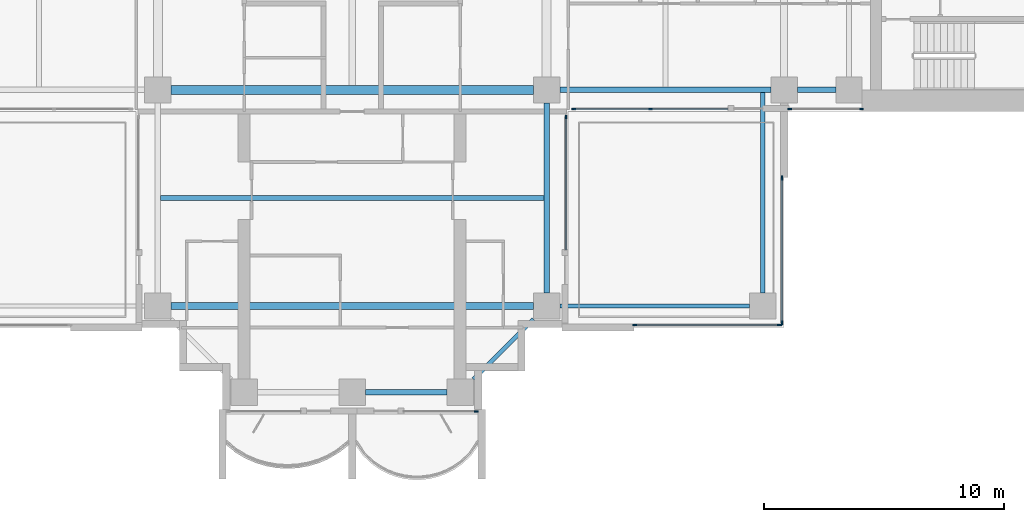
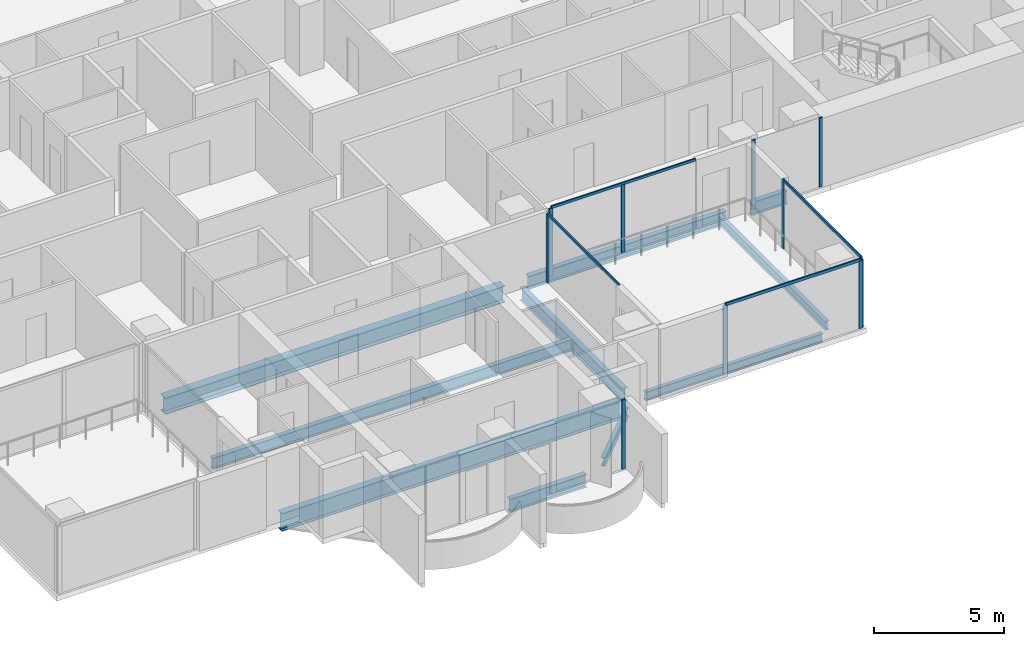
# One storey, part 3 of 18: 14 members, 10 beams, 6 elements without a shape of their own.
"""IFC4 building model written with IfcOpenShell, lengths in metres."""

from ifc_helpers import new_model, si_unit, direction, frame, origin, origin_2d, place, context, subcontext, project, spatial, rectangle, i_section, extrude, material, material_profile, profile_set, type_object, element, aggregate, save


model = new_model("IFC4")

# Units and contexts
model_context = context("Model", 3, precision=1e-05, world=origin(), true_north=direction((0.0, 1.0)))
body_context = subcontext(model_context, "Body", "Model", "MODEL_VIEW")
ifc_project = project(units=[si_unit("LENGTHUNIT", "METRE"), si_unit("AREAUNIT", "SQUARE_METRE"), si_unit("VOLUMEUNIT", "CUBIC_METRE"), si_unit("PLANEANGLEUNIT", "RADIAN"), si_unit("MASSUNIT", "GRAM", prefix="KILO")], contexts=[model_context])

# Site, building, storey
site_placement = place(None, origin())
site = spatial("IfcSite", under=ifc_project, at=site_placement, CompositionType="ELEMENT")
building_placement = place(site_placement, origin())
building = spatial("IfcBuilding", under=site, at=building_placement, Name="Perihelion Cross Residences", CompositionType="ELEMENT")
storey_placement = place(building_placement, frame((0.0, 0.0, 133.89990234375)))
storey = spatial("IfcBuildingStorey", under=building, at=storey_placement, Name="L32", CompositionType="ELEMENT", Elevation=133.89990234375)

# Curtain wall, member
ifc_material_1 = material(Name="Bronze anodised aluminium, tinted glazing", Category="aluminium")
curtain_wall_type_1 = type_object("IfcCurtainWallType", Name="CW1", PredefinedType="NOTDEFINED", material=ifc_material_1)
curtain_wall_1_placement = place(storey_placement, origin())
curtain_wall_1 = element("IfcCurtainWall", 1, at=curtain_wall_1_placement, inside=storey, type_object=curtain_wall_type_1, Name="Curtain wall CW1 L32 south tip south bay 2", PredefinedType="NOTDEFINED")
ifc_material_2 = material(Name="Bronze anodised aluminium", Category="aluminium")
ifc_material_profile_1 = material_profile(ifc_material_2, rectangle(XDim=0.06005859375, YDim=0.159912109375, at=origin_2d()), Name="CW1 mullion")
ifc_profile_set_1 = profile_set([ifc_material_profile_1], Name="Bronze anodised aluminium")
member_type_1 = type_object("IfcMemberType", Name="CW1 mullion", PredefinedType="MULLION", material=ifc_profile_set_1)
member_1_placement = place(storey_placement, frame((5.169921875, -21.5, 0.0), z_axis=(0.0, 0.0, 1.0), x_axis=(0.0, 1.0, 0.0)))
member_1 = element("IfcMember", 2, at=member_1_placement, type_object=member_type_1, Name="CW1 mullion 2", PredefinedType="MULLION", context=body_context, shape_type="SweptSolid", body=[
    extrude(rectangle(XDim=0.06005859375, YDim=0.159912109375, at=origin_2d()), origin(), (0.0, 0.0, 1.0), 3.25),
])
aggregate(curtain_wall_1, [member_1])

curtain_wall_2_placement = place(storey_placement, origin())
curtain_wall_2 = element("IfcCurtainWall", 3, at=curtain_wall_2_placement, inside=storey, type_object=curtain_wall_type_1, Name="Curtain wall CW1 L32 south side east bay 1", PredefinedType="NOTDEFINED")
member_2_placement = place(storey_placement, frame((8.89990234375, -9.22998046875, 0.0), z_axis=(0.0, 0.0, 1.0), x_axis=(-1.0, 0.0, 0.0)))
member_2 = element("IfcMember", 4, at=member_2_placement, type_object=member_type_1, Name="CW1 mullion 2", PredefinedType="MULLION", context=body_context, shape_type="SweptSolid", body=[
    extrude(rectangle(XDim=0.06005859375, YDim=0.159912109375, at=origin_2d()), origin(), (0.0, 0.0, 1.0), 3.190185546875),
])

# Curtain wall, members
curtain_wall_3_placement = place(storey_placement, origin())
curtain_wall_3 = element("IfcCurtainWall", 5, at=curtain_wall_3_placement, inside=storey, type_object=curtain_wall_type_1, Name="Curtain wall CW1 L32 east side south bay 1", PredefinedType="NOTDEFINED")
member_3_placement = place(storey_placement, frame((9.22998046875, -8.89990234375, 0.0), z_axis=(0.0, 0.0, 1.0), x_axis=(0.0, 1.0, 0.0)))
member_3 = element("IfcMember", 6, at=member_3_placement, type_object=member_type_1, Name="CW1 mullion 1", PredefinedType="MULLION", context=body_context, shape_type="SweptSolid", body=[
    extrude(rectangle(XDim=0.06005859375, YDim=0.159912109375, at=origin_2d()), origin(), (0.0, 0.0, 1.0), 3.190185546875),
])
member_4_placement = place(storey_placement, frame((12.425048828125, -8.89990234375, 0.0), z_axis=(0.0, 0.0, 1.0), x_axis=(0.0, 1.0, 0.0)))
member_4 = element("IfcMember", 7, at=member_4_placement, type_object=member_type_1, Name="CW1 mullion 2", PredefinedType="MULLION", context=body_context, shape_type="SweptSolid", body=[
    extrude(rectangle(XDim=0.06005859375, YDim=0.159912109375, at=origin_2d()), origin(), (0.0, 0.0, 1.0), 3.190185546875),
])

curtain_wall_4_placement = place(storey_placement, origin())
curtain_wall_4 = element("IfcCurtainWall", 8, at=curtain_wall_4_placement, inside=storey, type_object=curtain_wall_type_1, Name="Curtain wall CW1 L32 east side south bay 2", PredefinedType="NOTDEFINED")
member_5_placement = place(storey_placement, frame((18.22998046875, -8.89990234375, 0.0), z_axis=(0.0, 0.0, 1.0), x_axis=(0.0, 1.0, 0.0)))
member_5 = element("IfcMember", 9, at=member_5_placement, type_object=member_type_1, Name="CW1 mullion 1", PredefinedType="MULLION", context=body_context, shape_type="SweptSolid", body=[
    extrude(rectangle(XDim=0.06005859375, YDim=0.159912109375, at=origin_2d()), origin(), (0.0, 0.0, 1.0), 3.25),
])
member_6_placement = place(storey_placement, frame((21.219970703125, -8.89990234375, 0.0), z_axis=(0.0, 0.0, 1.0), x_axis=(0.0, 1.0, 0.0)))
member_6 = element("IfcMember", 10, at=member_6_placement, type_object=member_type_1, Name="CW1 mullion 2", PredefinedType="MULLION", context=body_context, shape_type="SweptSolid", body=[
    extrude(rectangle(XDim=0.06005859375, YDim=0.159912109375, at=origin_2d()), origin(), (0.0, 0.0, 1.0), 3.25),
])
aggregate(curtain_wall_4, [member_5, member_6])

# Member
ifc_material_3 = material(Name="Bronze anodised aluminium", Category="aluminium")
ifc_material_profile_2 = material_profile(ifc_material_3, rectangle(XDim=0.06005859375, YDim=0.1201171875, at=origin_2d()), Name="CW1 transom")
ifc_profile_set_2 = profile_set([ifc_material_profile_2], Name="Bronze anodised aluminium")
member_type_2 = type_object("IfcMemberType", Name="CW1 transom", PredefinedType="USERDEFINED", material=ifc_profile_set_2)
member_7_placement = place(storey_placement, frame((8.89990234375, -14.75, 3.22021484375), z_axis=(0.0, 1.0, 0.0), x_axis=(-1.0, 0.0, 0.0)))
member_7 = element("IfcMember", 11, at=member_7_placement, type_object=member_type_2, Name="CW1 head transom", ObjectType="TRANSOM", PredefinedType="USERDEFINED", context=body_context, shape_type="SweptSolid", body=[
    extrude(rectangle(XDim=0.06005859375, YDim=0.1201171875, at=origin_2d()), origin(), (0.0, 0.0, 1.0), 5.52001953125),
])

aggregate(curtain_wall_2, [member_2, member_7])

member_8_placement = place(storey_placement, frame((9.22998046875, -8.89990234375, 3.22021484375), z_axis=(1.0, 0.0, 0.0), x_axis=(0.0, 1.0, 0.0)))
member_8 = element("IfcMember", 12, at=member_8_placement, type_object=member_type_2, Name="CW1 head transom", ObjectType="TRANSOM", PredefinedType="USERDEFINED", context=body_context, shape_type="SweptSolid", body=[
    extrude(rectangle(XDim=0.06005859375, YDim=0.1201171875, at=origin_2d()), origin(), (0.0, 0.0, 1.0), 6.419921875),
])

aggregate(curtain_wall_3, [member_3, member_4, member_8])

# Curtain wall, members
ifc_material_4 = material(Name="Bronze anodised aluminium, tinted glazing", Category="aluminium")
curtain_wall_type_2 = type_object("IfcCurtainWallType", Name="CW4", PredefinedType="NOTDEFINED", material=ifc_material_4)
curtain_wall_5_placement = place(storey_placement, origin())
curtain_wall_5 = element("IfcCurtainWall", 13, at=curtain_wall_5_placement, inside=storey, type_object=curtain_wall_type_2, Name="Curtain wall CW4 L32 pocket south-east 1 1", PredefinedType="NOTDEFINED")
ifc_material_5 = material(Name="Bronze anodised aluminium", Category="aluminium")
ifc_material_profile_3 = material_profile(ifc_material_5, rectangle(XDim=0.06005859375, YDim=0.179931640625, at=origin_2d()), Name="CW4 mullion")
ifc_profile_set_3 = profile_set([ifc_material_profile_3], Name="Bronze anodised aluminium")
member_type_3 = type_object("IfcMemberType", Name="CW4 mullion", PredefinedType="MULLION", material=ifc_profile_set_3)
member_9_placement = place(storey_placement, frame((17.89990234375, -11.77001953125, 0.0), z_axis=(0.0, 0.0, 1.0), x_axis=(1.0, 0.0, 0.0)))
member_9 = element("IfcMember", 14, at=member_9_placement, type_object=member_type_3, Name="CW4 mullion 1", PredefinedType="MULLION", context=body_context, shape_type="SweptSolid", body=[
    extrude(rectangle(XDim=0.06005859375, YDim=0.179931640625, at=origin_2d()), origin(), (0.0, 0.0, 1.0), 3.190185546875),
])
member_10_placement = place(storey_placement, frame((17.89990234375, -17.800048828125, 0.0), z_axis=(0.0, 0.0, 1.0), x_axis=(1.0, 0.0, 0.0)))
member_10 = element("IfcMember", 15, at=member_10_placement, type_object=member_type_3, Name="CW4 mullion 2", PredefinedType="MULLION", context=body_context, shape_type="SweptSolid", body=[
    extrude(rectangle(XDim=0.06005859375, YDim=0.179931640625, at=origin_2d()), origin(), (0.0, 0.0, 1.0), 3.190185546875),
])

curtain_wall_6_placement = place(storey_placement, origin())
curtain_wall_6 = element("IfcCurtainWall", 16, at=curtain_wall_6_placement, inside=storey, type_object=curtain_wall_type_2, Name="Curtain wall CW4 L32 pocket south-east 1 2", PredefinedType="NOTDEFINED")
member_11_placement = place(storey_placement, frame((17.800048828125, -17.89990234375, 0.0), z_axis=(0.0, 0.0, 1.0), x_axis=(0.0, -1.0, 0.0)))
member_11 = element("IfcMember", 17, at=member_11_placement, type_object=member_type_3, Name="CW4 mullion 1", PredefinedType="MULLION", context=body_context, shape_type="SweptSolid", body=[
    extrude(rectangle(XDim=0.06005859375, YDim=0.179931640625, at=origin_2d()), origin(), (0.0, 0.0, 1.0), 3.190185546875),
])
member_12_placement = place(storey_placement, frame((11.77001953125, -17.89990234375, 0.0), z_axis=(0.0, 0.0, 1.0), x_axis=(0.0, -1.0, 0.0)))
member_12 = element("IfcMember", 18, at=member_12_placement, type_object=member_type_3, Name="CW4 mullion 2", PredefinedType="MULLION", context=body_context, shape_type="SweptSolid", body=[
    extrude(rectangle(XDim=0.06005859375, YDim=0.179931640625, at=origin_2d()), origin(), (0.0, 0.0, 1.0), 3.190185546875),
])

# Member
ifc_material_6 = material(Name="Bronze anodised aluminium", Category="aluminium")
ifc_material_profile_4 = material_profile(ifc_material_6, rectangle(XDim=0.06005859375, YDim=0.139892578125, at=origin_2d()), Name="CW4 transom")
ifc_profile_set_4 = profile_set([ifc_material_profile_4], Name="Bronze anodised aluminium")
member_type_4 = type_object("IfcMemberType", Name="CW4 transom", PredefinedType="USERDEFINED", material=ifc_profile_set_4)
member_13_placement = place(storey_placement, frame((17.89990234375, -11.77001953125, 3.22021484375), z_axis=(0.0, -1.0, 0.0), x_axis=(1.0, 0.0, 0.0)))
member_13 = element("IfcMember", 19, at=member_13_placement, type_object=member_type_4, Name="CW4 head transom", ObjectType="TRANSOM", PredefinedType="USERDEFINED", context=body_context, shape_type="SweptSolid", body=[
    extrude(rectangle(XDim=0.06005859375, YDim=0.139892578125, at=origin_2d()), origin(), (0.0, 0.0, 1.0), 6.030029296875),
])

aggregate(curtain_wall_5, [member_9, member_10, member_13])

member_14_placement = place(storey_placement, frame((17.800048828125, -17.89990234375, 3.22021484375), z_axis=(-1.0, 0.0, 0.0), x_axis=(0.0, -1.0, 0.0)))
member_14 = element("IfcMember", 20, at=member_14_placement, type_object=member_type_4, Name="CW4 head transom", ObjectType="TRANSOM", PredefinedType="USERDEFINED", context=body_context, shape_type="SweptSolid", body=[
    extrude(rectangle(XDim=0.06005859375, YDim=0.139892578125, at=origin_2d()), origin(), (0.0, 0.0, 1.0), 6.030029296875),
])

aggregate(curtain_wall_6, [member_11, member_12, member_14])

# Beams
ifc_material_7 = material(Name="Steel S355", Category="steel")
ifc_material_profile_5 = material_profile(ifc_material_7, i_section(OverallWidth=0.177978515625, OverallDepth=0.406005859375, WebThickness=0.0078125, FlangeThickness=0.0126953125, at=origin_2d()), Name="W410x60")
ifc_profile_set_5 = profile_set([ifc_material_profile_5], Name="Steel S355")
beam_type_1 = type_object("IfcBeamType", Name="Core edge beam W410x60", PredefinedType="BEAM", material=ifc_profile_set_5)
beam_1_placement = place(storey_placement, frame((17.10009765625, -8.214599609375, -0.452880859375), z_axis=(0.0, -1.0, 0.0), x_axis=(1.0, 0.0, 0.0)))
element("IfcBeam", 21, at=beam_1_placement, inside=storey, type_object=beam_type_1, Name="Core edge beam TB2 L32 corner no. 5", PredefinedType="BEAM", context=body_context, shape_type="SweptSolid", body=[
    extrude(i_section(OverallWidth=0.177978515625, OverallDepth=0.406005859375, WebThickness=0.0078125, FlangeThickness=0.0126953125, at=origin_2d()), origin(), (0.0, 0.0, 1.0), 8.33544921875),
])
beam_2_placement = place(storey_placement, frame((8.64990234375, -17.10009765625, -0.452880859375), z_axis=(1.0, 0.0, 0.0), x_axis=(0.0, 1.0, 0.0)))
element("IfcBeam", 22, at=beam_2_placement, inside=storey, type_object=beam_type_1, Name="Core edge beam TB2 L32 corner no. 6", PredefinedType="BEAM", context=body_context, shape_type="SweptSolid", body=[
    extrude(i_section(OverallWidth=0.177978515625, OverallDepth=0.406005859375, WebThickness=0.0078125, FlangeThickness=0.0126953125, at=origin_2d()), origin(), (0.0, 0.0, 1.0), 7.900146484375),
])
ifc_material_8 = material(Name="Steel S355", Category="steel")
ifc_material_profile_6 = material_profile(ifc_material_8, i_section(OverallWidth=0.22900390625, OverallDepth=0.612060546875, WebThickness=0.011962890625, FlangeThickness=0.01953125, at=origin_2d()), Name="W610x125")
ifc_profile_set_6 = profile_set([ifc_material_profile_6], Name="Steel S355")
beam_type_2 = type_object("IfcBeamType", Name="Edge beam W610x125", PredefinedType="SPANDREL", material=ifc_profile_set_6)
beam_3_placement = place(storey_placement, frame((0.550048828125, -20.699951171875, -0.555908203125), z_axis=(1.0, 0.0, 0.0), x_axis=(0.0, 1.0, 0.0)))
element("IfcBeam", 23, at=beam_3_placement, inside=storey, type_object=beam_type_2, Name="Edge beam SB3 L32 no. 9", PredefinedType="SPANDREL", context=body_context, shape_type="SweptSolid", body=[
    extrude(i_section(OverallWidth=0.22900390625, OverallDepth=0.612060546875, WebThickness=0.011962890625, FlangeThickness=0.01953125, at=origin_2d()), origin(), (0.0, 0.0, 1.0), 3.39990234375),
])
beam_4_placement = place(storey_placement, frame((8.10009765625, -16.550048828125, -0.555908203125), z_axis=(0.0, 1.0, 0.0), x_axis=(-1.0, 0.0, 0.0)))
element("IfcBeam", 24, at=beam_4_placement, inside=storey, type_object=beam_type_2, Name="Edge beam SB3 L32 no. 15", PredefinedType="SPANDREL", context=body_context, shape_type="SweptSolid", body=[
    extrude(i_section(OverallWidth=0.22900390625, OverallDepth=0.612060546875, WebThickness=0.011962890625, FlangeThickness=0.01953125, at=origin_2d()), origin(), (0.0, 0.0, 1.0), 7.900146484375),
])
beam_5_placement = place(storey_placement, frame((8.64990234375, -8.10009765625, -0.555908203125), z_axis=(1.0, 0.0, 0.0), x_axis=(0.0, 1.0, 0.0)))
element("IfcBeam", 25, at=beam_5_placement, inside=storey, type_object=beam_type_2, Name="Edge beam SB3 L32 no. 16", PredefinedType="SPANDREL", context=body_context, shape_type="SweptSolid", body=[
    extrude(i_section(OverallWidth=0.22900390625, OverallDepth=0.612060546875, WebThickness=0.011962890625, FlangeThickness=0.01953125, at=origin_2d()), origin(), (0.0, 0.0, 1.0), 8.800048828125),
])
beam_6_placement = place(storey_placement, frame((18.550048828125, -8.10009765625, -0.555908203125), z_axis=(1.0, 0.0, 0.0), x_axis=(0.0, 1.0, 0.0)))
element("IfcBeam", 26, at=beam_6_placement, inside=storey, type_object=beam_type_2, Name="Edge beam SB3 L32 no. 11", PredefinedType="SPANDREL", context=body_context, shape_type="SweptSolid", body=[
    extrude(i_section(OverallWidth=0.22900390625, OverallDepth=0.612060546875, WebThickness=0.011962890625, FlangeThickness=0.01953125, at=origin_2d()), origin(), (0.0, 0.0, 1.0), 1.599853515625),
])
ifc_material_9 = material(Name="Steel S355", Category="steel")
ifc_material_profile_7 = material_profile(ifc_material_9, i_section(OverallWidth=0.2919921875, OverallDepth=0.8359375, WebThickness=0.013916015625, FlangeThickness=0.018798828125, at=origin_2d()), Name="W840x176")
ifc_profile_set_7 = profile_set([ifc_material_profile_7], Name="Steel S355")
beam_type_3 = type_object("IfcBeamType", Name="Floor girder W840x176", PredefinedType="BEAM", material=ifc_profile_set_7)
beam_7_placement = place(storey_placement, frame((-7.550048828125, -17.10009765625, -0.66796875), z_axis=(1.0, 0.0, 0.0), x_axis=(0.0, 1.0, 0.0)))
element("IfcBeam", 27, at=beam_7_placement, inside=storey, type_object=beam_type_3, Name="Girder G3 L32 no. 3", PredefinedType="BEAM", context=body_context, shape_type="SweptSolid", body=[
    extrude(i_section(OverallWidth=0.2919921875, OverallDepth=0.8359375, WebThickness=0.013916015625, FlangeThickness=0.018798828125, at=origin_2d()), origin(), (0.0, 0.0, 1.0), 15.10009765625),
])
ifc_material_10 = material(Name="Steel S355", Category="steel")
ifc_material_profile_8 = material_profile(ifc_material_10, i_section(OverallWidth=0.208984375, OverallDepth=0.532958984375, WebThickness=0.01025390625, FlangeThickness=0.015625, at=origin_2d()), Name="W530x92")
ifc_profile_set_8 = profile_set([ifc_material_profile_8], Name="Steel S355")
beam_type_4 = type_object("IfcBeamType", Name="Floor joist W530x92", PredefinedType="JOIST", material=ifc_profile_set_8)
beam_8_placement = place(storey_placement, frame((-7.985595703125, -12.60009765625, -0.516357421875), z_axis=(1.0, 0.0, 0.0), x_axis=(0.0, 1.0, 0.0)))
element("IfcBeam", 28, at=beam_8_placement, inside=storey, type_object=beam_type_4, Name="Joist J4 L32 no. 3", PredefinedType="JOIST", context=body_context, shape_type="SweptSolid", body=[
    extrude(i_section(OverallWidth=0.208984375, OverallDepth=0.532958984375, WebThickness=0.01025390625, FlangeThickness=0.015625, at=origin_2d()), origin(), (0.0, 0.0, 1.0), 15.97119140625),
])
ifc_material_11 = material(Name="Steel S355", Category="steel")
ifc_material_profile_9 = material_profile(ifc_material_11, i_section(OverallWidth=0.381103515625, OverallDepth=0.77197265625, WebThickness=0.0166015625, FlangeThickness=0.027099609375, at=origin_2d()), Name="W760x257")
ifc_profile_set_9 = profile_set([ifc_material_profile_9], Name="Steel S355")
beam_type_5 = type_object("IfcBeamType", Name="Hub ring girder W760x257", PredefinedType="BEAM", material=ifc_profile_set_9)
beam_9_placement = place(storey_placement, frame((-7.550048828125, -8.10009765625, -0.635986328125), z_axis=(1.0, 0.0, 0.0), x_axis=(0.0, 1.0, 0.0)))
element("IfcBeam", 29, at=beam_9_placement, inside=storey, type_object=beam_type_5, Name="Hub ring girder RG3 L32 no. 1", PredefinedType="BEAM", context=body_context, shape_type="SweptSolid", body=[
    extrude(i_section(OverallWidth=0.381103515625, OverallDepth=0.77197265625, WebThickness=0.0166015625, FlangeThickness=0.027099609375, at=origin_2d()), origin(), (0.0, 0.0, 1.0), 15.10009765625),
])
ifc_material_12 = material(Name="Steel S355", Category="steel")
ifc_material_profile_10 = material_profile(ifc_material_12, i_section(OverallWidth=0.180908203125, OverallDepth=0.4169921875, WebThickness=0.010986328125, FlangeThickness=0.018310546875, at=origin_2d()), Name="W410x85")
ifc_profile_set_10 = profile_set([ifc_material_profile_10], Name="Steel S355")
beam_type_6 = type_object("IfcBeamType", Name="Serration edge beam W410x85", PredefinedType="BEAM", material=ifc_profile_set_10)
beam_10_placement = place(storey_placement, frame((5.050048828125, -20.14990234375, -0.45849609375), z_axis=(0.707106781187, 0.707106781187, 0.0), x_axis=(-0.707106781187, 0.707106781187, 0.0)))
element("IfcBeam", 30, at=beam_10_placement, inside=storey, type_object=beam_type_6, Name="Serration edge beam EB3 L32 no. 3", PredefinedType="BEAM", context=body_context, shape_type="SweptSolid", body=[
    extrude(i_section(OverallWidth=0.180908203125, OverallDepth=0.4169921875, WebThickness=0.010986328125, FlangeThickness=0.018310546875, at=origin_2d()), origin(), (0.0, 0.0, 1.0), 3.53564453125),
])

save(model, "model.ifc")
